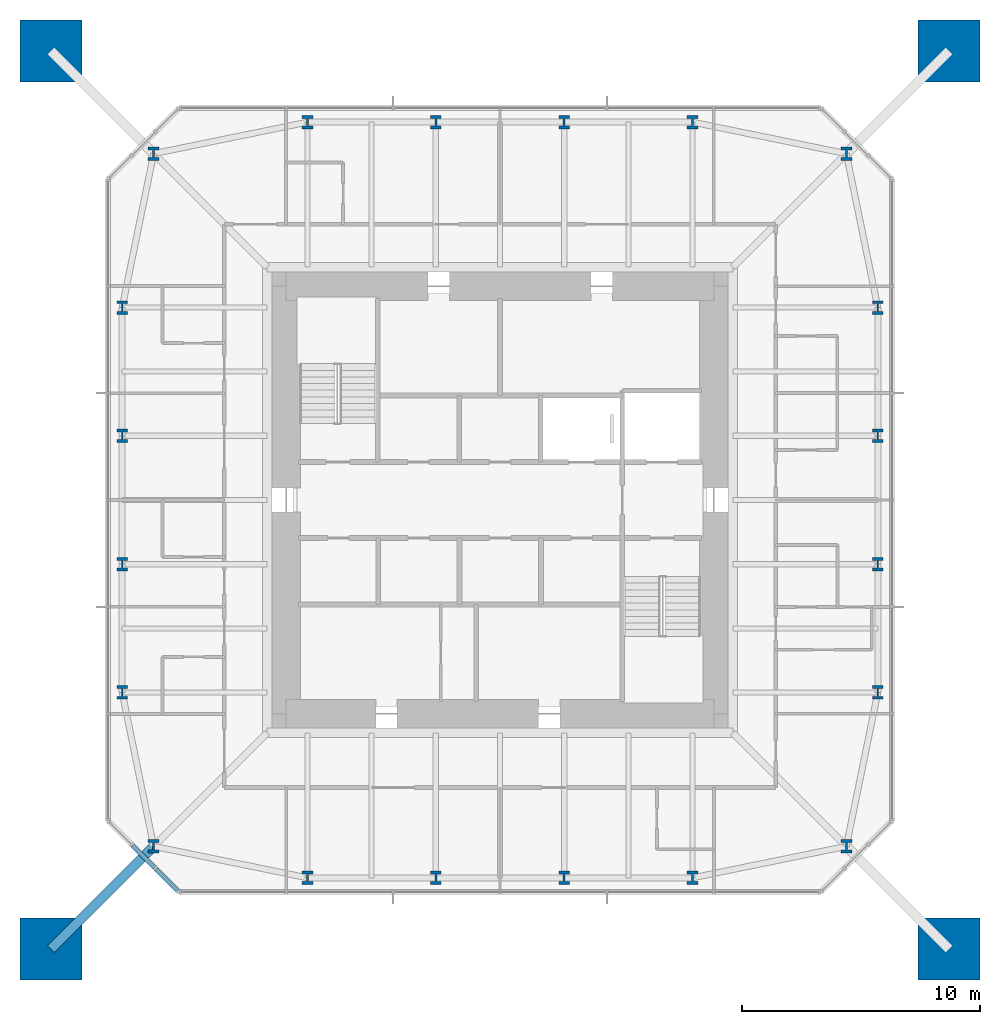
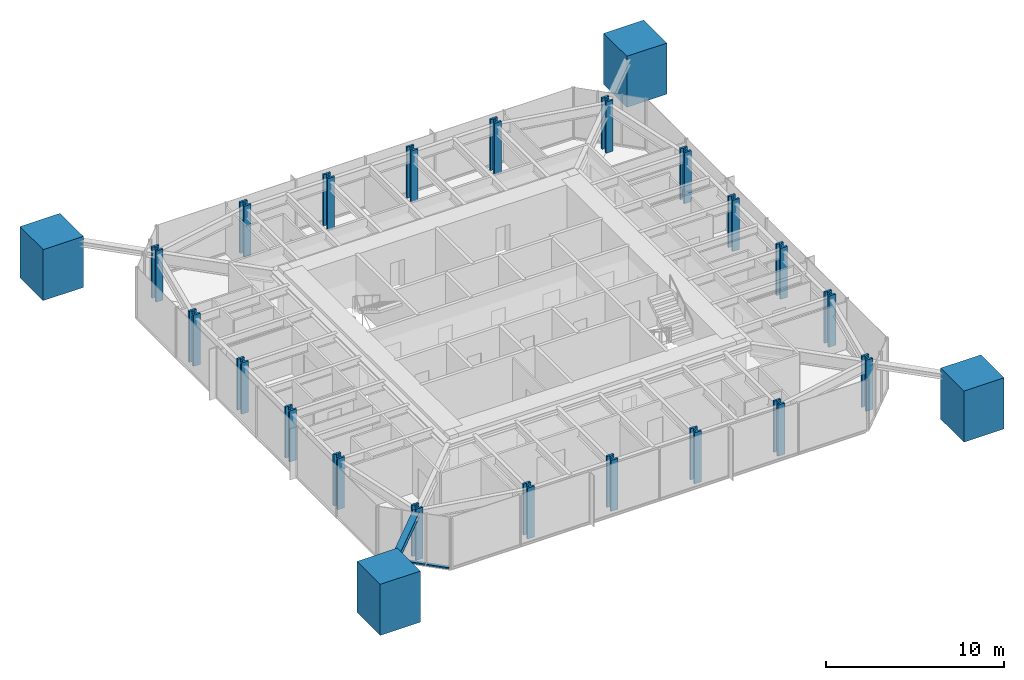
# One storey, part 1 of 9: 24 columns, 3 members, 1 element without a shape of its own.
"""IFC4 building model written with IfcOpenShell, lengths in metres."""

from ifc_helpers import new_model, si_unit, direction, frame, origin, origin_2d, place, context, subcontext, project, spatial, rectangle, i_section, extrude, material, material_profile, profile_set, type_object, element, aggregate, save


model = new_model("IFC4")

# Units and contexts
model_context = context("Model", 3, precision=1e-05, world=origin(), true_north=direction((0.0, 1.0)))
body_context = subcontext(model_context, "Body", "Model", "MODEL_VIEW")
ifc_project = project(units=[si_unit("LENGTHUNIT", "METRE"), si_unit("AREAUNIT", "SQUARE_METRE"), si_unit("VOLUMEUNIT", "CUBIC_METRE"), si_unit("PLANEANGLEUNIT", "RADIAN"), si_unit("MASSUNIT", "GRAM", prefix="KILO")], contexts=[model_context])

# Site, building, storey
site_placement = place(None, origin())
site = spatial("IfcSite", under=ifc_project, at=site_placement, CompositionType="ELEMENT")
building_placement = place(site_placement, origin())
building = spatial("IfcBuilding", under=site, at=building_placement, Name="Iwan Alto Co-Living Towers", CompositionType="ELEMENT")
storey_placement = place(building_placement, frame((0.0, 0.0, 264.0)))
storey = spatial("IfcBuildingStorey", under=building, at=storey_placement, Name="L72", CompositionType="ELEMENT", Elevation=264.0)

# Columns
ifc_material_1 = material(Name="Concrete f'c 70 MPa", Category="concrete")
ifc_material_profile_1 = material_profile(ifc_material_1, rectangle(XDim=2.60009765625, YDim=2.60009765625, at=origin_2d()), Name="RC 2600X2600")
ifc_profile_set_1 = profile_set([ifc_material_profile_1], Name="Concrete f'c 70 MPa")
column_type_1 = type_object("IfcColumnType", Name="T1 MEGA COLUMN RC 2600X2600", PredefinedType="COLUMN", material=ifc_profile_set_1)
for number, where, z_axis, x_axis, name in (
    (1, (-18.89990234375, -18.89990234375, 0.0), (0.0, 0.0, 1.0), (1.0, 0.0, 0.0), "T1 mega column SW L72"),
    (2, (18.89990234375, -18.89990234375, 0.0), (0.0, 0.0, 1.0), (1.0, 0.0, 0.0), "T1 mega column SE L72"),
    (3, (18.89990234375, 18.89990234375, 0.0), (0.0, 0.0, 1.0), (1.0, 0.0, 0.0), "T1 mega column NE L72"),
    (4, (-18.89990234375, 18.89990234375, 0.0), (0.0, 0.0, 1.0), (1.0, 0.0, 0.0), "T1 mega column NW L72"),
):
    element("IfcColumn", number, at=place(storey_placement, frame(where, z_axis=z_axis, x_axis=x_axis)), inside=storey, type_object=column_type_1, Name=name, PredefinedType="COLUMN", context=body_context, shape_type="SweptSolid", body=[
        extrude(rectangle(XDim=2.60009765625, YDim=2.60009765625, at=origin_2d()), origin(), (0.0, 0.0, 1.0), 3.5),
        extrude(i_section(OverallWidth=0.4775390625, OverallDepth=0.599365234375, WebThickness=0.10009765625, FlangeThickness=0.139892578125, at=origin_2d()), origin(), (0.0, 0.0, 1.0), 3.5),
    ])
ifc_material_2 = material(Name="Steel ASTM A992 Gr 50", Category="steel")
ifc_material_profile_2 = material_profile(ifc_material_2, i_section(OverallWidth=0.45458984375, OverallDepth=0.56884765625, WebThickness=0.077880859375, FlangeThickness=0.124755859375, at=origin_2d()), Name="W14X730")
ifc_profile_set_2 = profile_set([ifc_material_profile_2], Name="Steel ASTM A992 Gr 50")
column_type_2 = type_object("IfcColumnType", Name="T1 RING COLUMN W14X730", PredefinedType="COLUMN", material=ifc_profile_set_2)
for number, where, z_axis, x_axis, name in (
    (5, (-14.57568359375, -14.57568359375, 0.0), (0.0, 0.0, 1.0), (1.0, 0.0, 0.0), "T1 ring column CSW L72"),
    (6, (-8.10009765625, -15.89990234375, 0.0), (0.0, 0.0, 1.0), (1.0, 0.0, 0.0), "T1 ring column S1 L72"),
    (7, (-2.699951171875, -15.89990234375, 0.0), (0.0, 0.0, 1.0), (1.0, 0.0, 0.0), "T1 ring column S2 L72"),
    (8, (2.699951171875, -15.89990234375, 0.0), (0.0, 0.0, 1.0), (1.0, 0.0, 0.0), "T1 ring column S3 L72"),
    (9, (8.10009765625, -15.89990234375, 0.0), (0.0, 0.0, 1.0), (1.0, 0.0, 0.0), "T1 ring column S4 L72"),
    (10, (14.57568359375, -14.57568359375, 0.0), (0.0, 0.0, 1.0), (1.0, 0.0, 0.0), "T1 ring column CSE L72"),
    (11, (15.89990234375, -8.10009765625, 0.0), (0.0, 0.0, 1.0), (1.0, 0.0, 0.0), "T1 ring column E1 L72"),
    (12, (15.89990234375, -2.699951171875, 0.0), (0.0, 0.0, 1.0), (1.0, 0.0, 0.0), "T1 ring column E2 L72"),
    (13, (15.89990234375, 2.699951171875, 0.0), (0.0, 0.0, 1.0), (1.0, 0.0, 0.0), "T1 ring column E3 L72"),
    (14, (15.89990234375, 8.10009765625, 0.0), (0.0, 0.0, 1.0), (1.0, 0.0, 0.0), "T1 ring column E4 L72"),
    (15, (14.57568359375, 14.57568359375, 0.0), (0.0, 0.0, 1.0), (1.0, 0.0, 0.0), "T1 ring column CNE L72"),
    (16, (8.10009765625, 15.89990234375, 0.0), (0.0, 0.0, 1.0), (1.0, 0.0, 0.0), "T1 ring column N1 L72"),
    (17, (2.699951171875, 15.89990234375, 0.0), (0.0, 0.0, 1.0), (1.0, 0.0, 0.0), "T1 ring column N2 L72"),
    (18, (-2.699951171875, 15.89990234375, 0.0), (0.0, 0.0, 1.0), (1.0, 0.0, 0.0), "T1 ring column N3 L72"),
    (19, (-8.10009765625, 15.89990234375, 0.0), (0.0, 0.0, 1.0), (1.0, 0.0, 0.0), "T1 ring column N4 L72"),
    (20, (-14.57568359375, 14.57568359375, 0.0), (0.0, 0.0, 1.0), (1.0, 0.0, 0.0), "T1 ring column CNW L72"),
    (21, (-15.89990234375, 8.10009765625, 0.0), (0.0, 0.0, 1.0), (1.0, 0.0, 0.0), "T1 ring column W1 L72"),
    (22, (-15.89990234375, 2.699951171875, 0.0), (0.0, 0.0, 1.0), (1.0, 0.0, 0.0), "T1 ring column W2 L72"),
    (23, (-15.89990234375, -2.699951171875, 0.0), (0.0, 0.0, 1.0), (1.0, 0.0, 0.0), "T1 ring column W3 L72"),
    (24, (-15.89990234375, -8.10009765625, 0.0), (0.0, 0.0, 1.0), (1.0, 0.0, 0.0), "T1 ring column W4 L72"),
):
    element("IfcColumn", number, at=place(storey_placement, frame(where, z_axis=z_axis, x_axis=x_axis)), inside=storey, type_object=column_type_2, Name=name, PredefinedType="COLUMN", context=body_context, shape_type="SweptSolid", body=[
        extrude(i_section(OverallWidth=0.45458984375, OverallDepth=0.56884765625, WebThickness=0.077880859375, FlangeThickness=0.124755859375, at=origin_2d()), origin(), (0.0, 0.0, 1.0), 3.5),
    ])

# Curtain wall, members
ifc_material_3 = material(Name="Bronze aluminium unitised frame", Category="aluminium")
curtain_wall_type = type_object("IfcCurtainWallType", Name="CURTAIN WALL CW-B", PredefinedType="NOTDEFINED", material=ifc_material_3)
curtain_wall_placement = place(storey_placement, origin())
curtain_wall = element("IfcCurtainWall", 25, at=curtain_wall_placement, inside=storey, type_object=curtain_wall_type, Name="T1 chamfer curtain wall SW L72", PredefinedType="NOTDEFINED")
ifc_material_4 = material(Name="Aluminium 6063-T6 bronze anodised", Category="aluminium")
ifc_material_profile_3 = material_profile(ifc_material_4, rectangle(XDim=0.199951171875, YDim=0.10009765625, at=origin_2d()), Name="AL 200X100")
ifc_profile_set_3 = profile_set([ifc_material_profile_3], Name="Aluminium 6063-T6 bronze anodised")
member_type_1 = type_object("IfcMemberType", Name="CW-B TRANSOM 200X100", PredefinedType="USERDEFINED", material=ifc_profile_set_3)
member_1_placement = place(storey_placement, frame((-15.4716796875, -14.5283203125, 0.050048828125), z_axis=(0.707106781187, -0.707106781187, 0.0), x_axis=(0.707106781187, 0.707106781187, 0.0)))
member_1 = element("IfcMember", 26, at=member_1_placement, type_object=member_type_1, Name="CW-B transom 2.1", ObjectType="TRANSOM", PredefinedType="USERDEFINED", context=body_context, shape_type="SweptSolid", body=[
    extrude(rectangle(XDim=0.199951171875, YDim=0.10009765625, at=origin_2d()), origin(), (0.0, 0.0, 1.0), 1.334228515625),
])
member_2_placement = place(storey_placement, frame((-14.4716796875, -15.5283203125, 0.050048828125), z_axis=(0.707106781187, -0.707106781187, 0.0), x_axis=(0.707106781187, 0.707106781187, 0.0)))
member_2 = element("IfcMember", 27, at=member_2_placement, type_object=member_type_1, Name="CW-B transom 3.1", ObjectType="TRANSOM", PredefinedType="USERDEFINED", context=body_context, shape_type="SweptSolid", body=[
    extrude(rectangle(XDim=0.199951171875, YDim=0.10009765625, at=origin_2d()), origin(), (0.0, 0.0, 1.0), 1.2939453125),
])
aggregate(curtain_wall, [member_1, member_2])

# Member
ifc_material_5 = material(Name="Steel ASTM A992 Gr 50", Category="steel")
ifc_material_profile_4 = material_profile(ifc_material_5, i_section(OverallWidth=0.393798828125, OverallDepth=0.3759765625, WebThickness=0.017333984375, FlangeThickness=0.027587890625, at=origin_2d()), Name="W14X145")
ifc_profile_set_4 = profile_set([ifc_material_profile_4], Name="Steel ASTM A992 Gr 50")
member_type_2 = type_object("IfcMemberType", Name="T1 MEGA COLUMN FLOOR TIE W14X145", PredefinedType="STRUT", material=ifc_profile_set_4)
member_3_placement = place(storey_placement, frame((-18.89990234375, -18.89990234375, 3.06201171875), z_axis=(0.707106781187, 0.707106781187, 0.0), x_axis=(-0.707106781187, 0.707106781187, 0.0)))
element("IfcMember", 28, at=member_3_placement, inside=storey, type_object=member_type_2, Name="T1 mega column floor tie SW RF", PredefinedType="STRUT", context=body_context, shape_type="SweptSolid", body=[
    extrude(i_section(OverallWidth=0.393798828125, OverallDepth=0.3759765625, WebThickness=0.017333984375, FlangeThickness=0.027587890625, at=origin_2d()), origin(), (0.0, 0.0, 1.0), 6.115478515625),
])

save(model, "model.ifc")
